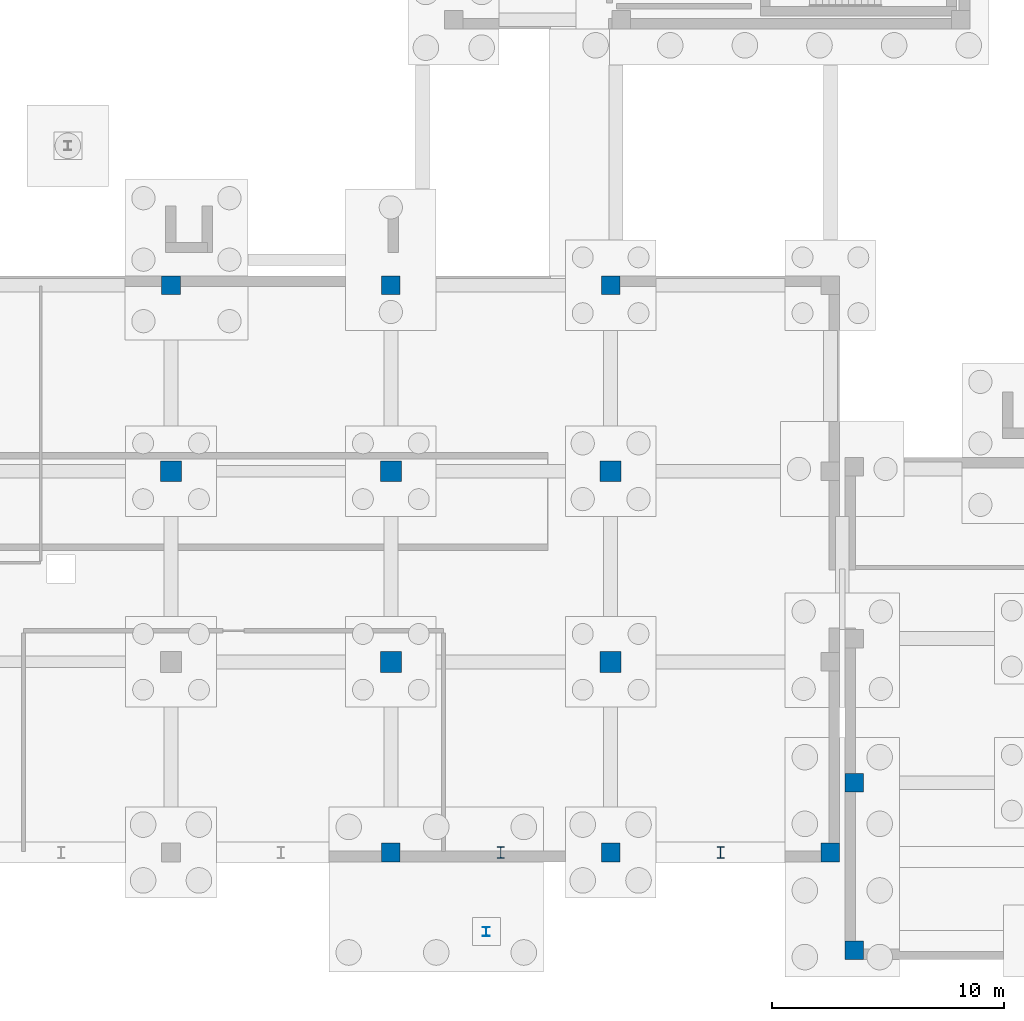
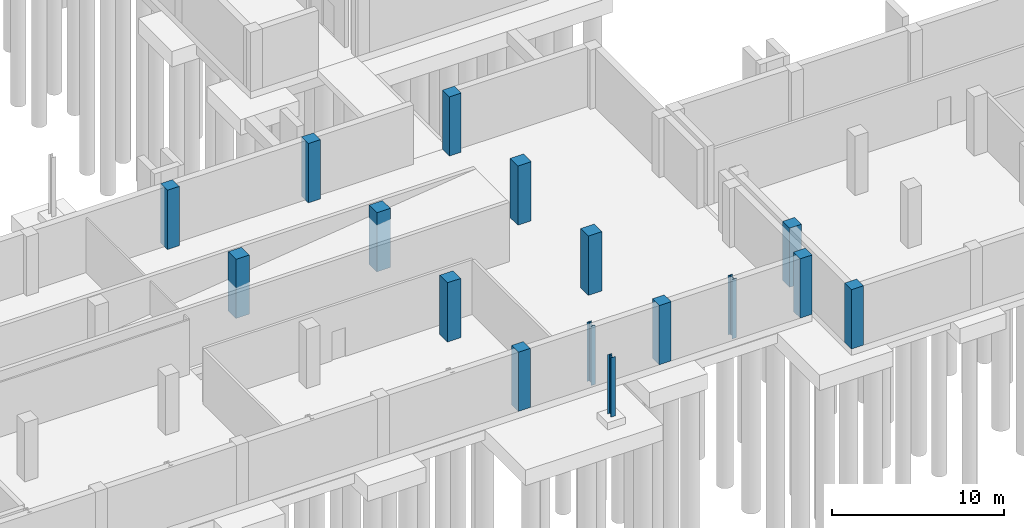
# One storey, part 11 of 31: 16 columns.
"""IFC4 building model written with IfcOpenShell, lengths in metres."""

from ifc_helpers import new_model, si_unit, direction, frame, origin, origin_2d, place, context, subcontext, project, spatial, rectangle, i_section, extrude, material, material_profile, profile_set, type_object, element, save


model = new_model("IFC4")

# Units and contexts
model_context = context("Model", 3, precision=1e-05, world=origin(), true_north=direction((0.0, 1.0)))
body_context = subcontext(model_context, "Body", "Model", "MODEL_VIEW")
ifc_project = project(units=[si_unit("LENGTHUNIT", "METRE"), si_unit("AREAUNIT", "SQUARE_METRE"), si_unit("VOLUMEUNIT", "CUBIC_METRE"), si_unit("PLANEANGLEUNIT", "RADIAN"), si_unit("MASSUNIT", "GRAM", prefix="KILO")], contexts=[model_context])

# Site, building, storey
site_placement = place(None, origin())
site = spatial("IfcSite", under=ifc_project, at=site_placement, CompositionType="ELEMENT")
building_placement = place(site_placement, origin())
building = spatial("IfcBuilding", under=site, at=building_placement, Name="Qalavern Law Courts", CompositionType="ELEMENT")
storey_placement = place(building_placement, frame((0.0, 0.0, -8.39990234375)))
storey = spatial("IfcBuildingStorey", under=building, at=storey_placement, Name="B2", CompositionType="ELEMENT", Elevation=-8.39990234375)

# Columns
ifc_material_1 = material(Name="Steel S355", Category="steel")
ifc_material_profile_1 = material_profile(ifc_material_1, i_section(OverallWidth=0.300048828125, OverallDepth=0.389892578125, WebThickness=0.010986328125, FlangeThickness=0.01904296875, FilletRadius=0.027099609375, at=origin_2d()), Name="HEA 400")
ifc_profile_set_1 = profile_set([ifc_material_profile_1], Name="Steel S355")
column_type_1 = type_object("IfcColumnType", Name="STR-COL-HEA400", PredefinedType="COLUMN", material=ifc_profile_set_1)
column_placement = place(storey_placement, frame((86.0, 2.199951171875, 0.0), z_axis=(0.0, 0.0, 1.0), x_axis=(1.0, 0.0, 0.0)))
element("IfcColumn", 1, at=column_placement, inside=storey, type_object=column_type_1, Name="Plaza apron substructure column 05 B2", PredefinedType="COLUMN", context=body_context, shape_type="SweptSolid", body=[
    extrude(i_section(OverallWidth=0.300048828125, OverallDepth=0.389892578125, WebThickness=0.010986328125, FlangeThickness=0.01904296875, FilletRadius=0.027099609375, at=origin_2d()), origin(), (0.0, 0.0, 1.0), 4.199951171875),
])
ifc_material_profile_2 = material_profile(ifc_material_1, i_section(OverallWidth=0.300048828125, OverallDepth=0.5, WebThickness=0.014404296875, FlangeThickness=0.028076171875, FilletRadius=0.027099609375, at=origin_2d()), Name="HEB 500")
ifc_profile_set_2 = profile_set([ifc_material_profile_2], Name="Steel S355")
column_type_2 = type_object("IfcColumnType", Name="STR-COL-HEB500", PredefinedType="COLUMN", material=ifc_profile_set_2)
for number, where, z_axis, x_axis, name in (
    (2, (86.618896484375, 5.60009765625, 0.0), (0.0, 0.0, 1.0), (1.0, 0.0, 0.0), "Civic colonnade pilaster 06 B2"),
    (3, (96.072998046875, 5.60009765625, 0.0), (0.0, 0.0, 1.0), (1.0, 0.0, 0.0), "Civic colonnade pilaster 07 B2"),
):
    element("IfcColumn", number, at=place(storey_placement, frame(where, z_axis=z_axis, x_axis=x_axis)), inside=storey, type_object=column_type_2, Name=name, PredefinedType="COLUMN", context=body_context, shape_type="SweptSolid", body=[
        extrude(i_section(OverallWidth=0.300048828125, OverallDepth=0.5, WebThickness=0.014404296875, FlangeThickness=0.028076171875, FilletRadius=0.027099609375, at=origin_2d()), origin(), (0.0, 0.0, 1.0), 4.199951171875),
    ])
ifc_material_2 = material(Name="Concrete C45/55", Category="concrete")
ifc_material_profile_3 = material_profile(ifc_material_2, rectangle(XDim=0.800048828125, YDim=0.800048828125, at=origin_2d()), Name="RC 800x800")
ifc_profile_set_3 = profile_set([ifc_material_profile_3], Name="Concrete C45/55")
column_type_3 = type_object("IfcColumnType", Name="STR-COL-RC800E", PredefinedType="COLUMN", material=ifc_profile_set_3)
for number, where, z_axis, x_axis, name in (
    (4, (72.43701171875, 30.0, 0.0), (0.0, 0.0, 1.0), (1.0, 0.0, 0.0), "V2 column 5-4 B2"),
    (5, (81.891357421875, 5.60009765625, 0.0), (0.0, 0.0, 1.0), (1.0, 0.0, 0.0), "V2 column 6-1 B2"),
    (6, (81.891357421875, 30.0, 0.0), (0.0, 0.0, 1.0), (1.0, 0.0, 0.0), "V2 column 6-4 B2"),
    (7, (91.345703125, 5.60009765625, 0.0), (0.0, 0.0, 1.0), (1.0, 0.0, 0.0), "V2 column 7-1 B2"),
    (8, (91.345703125, 30.0, 0.0), (0.0, 0.0, 1.0), (1.0, 0.0, 0.0), "V2 column 7-4 B2"),
    (9, (100.800048828125, 5.60009765625, 0.0), (0.0, 0.0, 1.0), (1.0, 0.0, 0.0), "V2 column 8-1 B2"),
    (10, (101.820068359375, 1.39990234375, 0.0), (0.0, 0.0, 1.0), (1.0, 0.0, 0.0), "V6 column 1-1 B2"),
    (11, (101.820068359375, 8.60009765625, 0.0), (0.0, 0.0, 1.0), (1.0, 0.0, 0.0), "V6 column 1-2 B2"),
):
    element("IfcColumn", number, at=place(storey_placement, frame(where, z_axis=z_axis, x_axis=x_axis)), inside=storey, type_object=column_type_3, Name=name, PredefinedType="COLUMN", context=body_context, shape_type="SweptSolid", body=[
        extrude(rectangle(XDim=0.800048828125, YDim=0.800048828125, at=origin_2d()), origin(), (0.0, 0.0, 1.0), 4.199951171875),
    ])
ifc_material_profile_4 = material_profile(ifc_material_2, rectangle(XDim=0.89990234375, YDim=0.89990234375, at=origin_2d()), Name="RC 900x900")
ifc_profile_set_4 = profile_set([ifc_material_profile_4], Name="Concrete C45/55")
column_type_4 = type_object("IfcColumnType", Name="STR-COL-RC900", PredefinedType="COLUMN", material=ifc_profile_set_4)
for number, where, z_axis, x_axis, name in (
    (12, (72.43701171875, 22.0, 0.0), (0.0, 0.0, 1.0), (1.0, 0.0, 0.0), "V2 column 5-3 B2"),
    (13, (81.891357421875, 13.800048828125, 0.0), (0.0, 0.0, 1.0), (1.0, 0.0, 0.0), "V2 column 6-2 B2"),
    (14, (81.891357421875, 22.0, 0.0), (0.0, 0.0, 1.0), (1.0, 0.0, 0.0), "V2 column 6-3 B2"),
    (15, (91.345703125, 13.800048828125, 0.0), (0.0, 0.0, 1.0), (1.0, 0.0, 0.0), "V2 column 7-2 B2"),
    (16, (91.345703125, 22.0, 0.0), (0.0, 0.0, 1.0), (1.0, 0.0, 0.0), "V2 column 7-3 B2"),
):
    element("IfcColumn", number, at=place(storey_placement, frame(where, z_axis=z_axis, x_axis=x_axis)), inside=storey, type_object=column_type_4, Name=name, PredefinedType="COLUMN", context=body_context, shape_type="SweptSolid", body=[
        extrude(rectangle(XDim=0.89990234375, YDim=0.89990234375, at=origin_2d()), origin(), (0.0, 0.0, 1.0), 4.199951171875),
    ])

save(model, "model.ifc")
